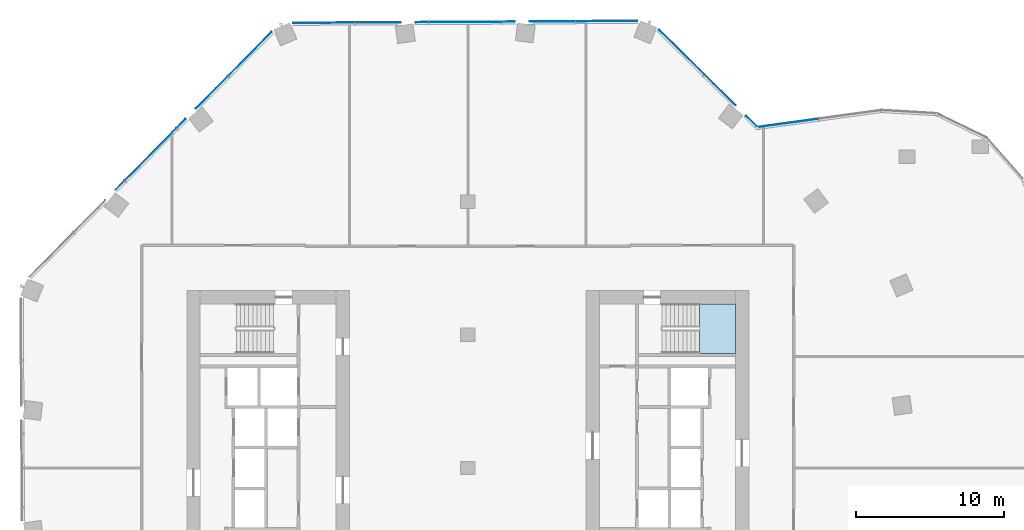
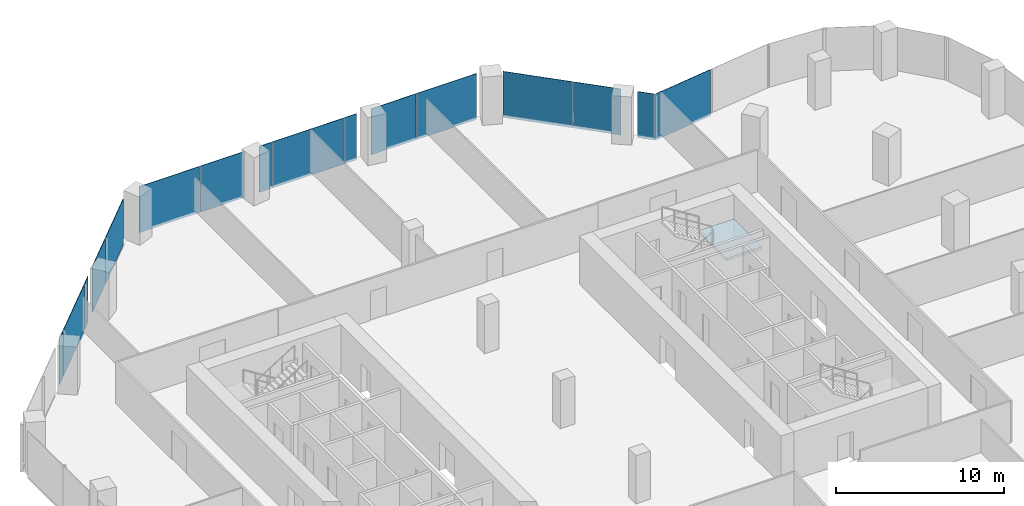
# One storey, part 17 of 27: 16 plates, 1 slab, 5 elements without a shape of their own.
"""IFC4 building model written with IfcOpenShell, lengths in metres."""

from ifc_helpers import new_model, si_unit, direction, frame, origin, origin_2d, place, context, subcontext, project, spatial, polyline, rectangle, outline, extrude, material, layer, layer_set, type_object, element, aggregate, save


model = new_model("IFC4")

# Units and contexts
model_context = context("Model", 3, precision=1e-05, world=origin(), true_north=direction((0.0, 1.0)))
body_context = subcontext(model_context, "Body", "Model", "MODEL_VIEW")
ifc_project = project(units=[si_unit("LENGTHUNIT", "METRE"), si_unit("AREAUNIT", "SQUARE_METRE"), si_unit("VOLUMEUNIT", "CUBIC_METRE"), si_unit("PLANEANGLEUNIT", "RADIAN"), si_unit("MASSUNIT", "GRAM", prefix="KILO")], contexts=[model_context])

# Site, building, storey
site_placement = place(None, origin())
site = spatial("IfcSite", under=ifc_project, at=site_placement, CompositionType="ELEMENT")
building_placement = place(site_placement, origin())
building = spatial("IfcBuilding", under=site, at=building_placement, Name="Orlundy Tower", CompositionType="ELEMENT")
storey_placement = place(building_placement, frame((0.0, 0.0, 199.10009765625)))
storey = spatial("IfcBuildingStorey", under=building, at=storey_placement, Name="L52", CompositionType="ELEMENT", Elevation=199.10009765625)

# Curtain wall, plates
ifc_material_1 = material(Name="Aluminium bronze anodised", Category="aluminium")
curtain_wall_type = type_object("IfcCurtainWallType", Name="CW1 wall", PredefinedType="NOTDEFINED", material=ifc_material_1)
curtain_wall_1_placement = place(storey_placement, origin())
curtain_wall_1 = element("IfcCurtainWall", 1, at=curtain_wall_1_placement, inside=storey, type_object=curtain_wall_type, Name="CW1 run 03", PredefinedType="NOTDEFINED")
ifc_material_2 = material(Name="Tinted glass", Category="glass")
ifc_layer_1 = layer(ifc_material_2, 0.031982421875)
ifc_layer_set_1 = layer_set([ifc_layer_1], Name="CW1 glass panel 32")
plate_type = type_object("IfcPlateType", Name="CW1 glass panel 32", PredefinedType="CURTAIN_PANEL", material=ifc_layer_set_1)
plate_1_placement = place(storey_placement, frame((-23.515380859375, 19.118408203125, -0.300048828125), z_axis=(0.0, 0.0, 1.0), x_axis=(0.702990637629, 0.711199102506, 0.0)))
plate_1 = element("IfcPlate", 2, at=plate_1_placement, type_object=plate_type, Name="CW1 panel", PredefinedType="CURTAIN_PANEL", context=body_context, shape_type="SweptSolid", body=[
    extrude(rectangle(XDim=0.846435546875, YDim=0.031982421875, at=origin_2d()), origin(), (0.0, 0.0, 1.0), 3.35009765625),
])
plate_2_placement = place(storey_placement, frame((-21.453125, 21.204833984375, -0.300048828125), z_axis=(0.0, 0.0, 1.0), x_axis=(0.702990637629, 0.711199102506, 0.0)))
plate_2 = element("IfcPlate", 3, at=plate_2_placement, type_object=plate_type, Name="CW1 panel", PredefinedType="CURTAIN_PANEL", context=body_context, shape_type="SweptSolid", body=[
    extrude(rectangle(XDim=4.92041015625, YDim=0.031982421875, at=origin_2d()), origin(), (0.0, 0.0, 1.0), 3.35009765625),
])
plate_3_placement = place(storey_placement, frame((-19.390625, 23.291259765625, -0.300048828125), z_axis=(0.0, 0.0, 1.0), x_axis=(0.702990637629, 0.711199102506, 0.0)))
plate_3 = element("IfcPlate", 4, at=plate_3_placement, type_object=plate_type, Name="CW1 panel", PredefinedType="CURTAIN_PANEL", context=body_context, shape_type="SweptSolid", body=[
    extrude(rectangle(XDim=0.84716796875, YDim=0.031982421875, at=origin_2d()), origin(), (0.0, 0.0, 1.0), 3.35009765625),
])
plate_4_placement = place(storey_placement, frame((-17.302978515625, 25.4033203125, -0.300048828125), z_axis=(0.0, 0.0, 1.0), x_axis=(0.702990637629, 0.711199102506, 0.0)))
plate_4 = element("IfcPlate", 5, at=plate_4_placement, type_object=plate_type, Name="CW1 panel", PredefinedType="CURTAIN_PANEL", context=body_context, shape_type="SweptSolid", body=[
    extrude(rectangle(XDim=3.054443359375, YDim=0.031982421875, at=origin_2d()), origin(), (0.0, 0.0, 1.0), 3.35009765625),
])
plate_5_placement = place(storey_placement, frame((-14.736328125, 28.0, -0.300048828125), z_axis=(0.0, 0.0, 1.0), x_axis=(0.702990637629, 0.711199102506, 0.0)))
plate_5 = element("IfcPlate", 6, at=plate_5_placement, type_object=plate_type, Name="CW1 panel", PredefinedType="CURTAIN_PANEL", context=body_context, shape_type="SweptSolid", body=[
    extrude(rectangle(XDim=4.147705078125, YDim=0.031982421875, at=origin_2d()), origin(), (0.0, 0.0, 1.0), 3.35009765625),
])
aggregate(curtain_wall_1, [plate_1, plate_2, plate_3, plate_4, plate_5])

curtain_wall_2_placement = place(storey_placement, origin())
curtain_wall_2 = element("IfcCurtainWall", 7, at=curtain_wall_2_placement, inside=storey, type_object=curtain_wall_type, Name="CW1 run 04", PredefinedType="NOTDEFINED")
plate_6_placement = place(storey_placement, frame((-9.72998046875, 30.107666015625, -0.300048828125), z_axis=(0.0, 0.0, 1.0), x_axis=(0.999982980873, 0.005834206419, 0.0)))
plate_6 = element("IfcPlate", 8, at=plate_6_placement, type_object=plate_type, Name="CW1 panel", PredefinedType="CURTAIN_PANEL", context=body_context, shape_type="SweptSolid", body=[
    extrude(rectangle(XDim=4.1474609375, YDim=0.031982421875, at=origin_2d()), origin(), (0.0, 0.0, 1.0), 3.35009765625),
])
plate_7_placement = place(storey_placement, frame((-6.078857421875, 30.129150390625, -0.300048828125), z_axis=(0.0, 0.0, 1.0), x_axis=(0.999982980873, 0.005834206419, 0.0)))
plate_7 = element("IfcPlate", 9, at=plate_7_placement, type_object=plate_type, Name="CW1 panel", PredefinedType="CURTAIN_PANEL", context=body_context, shape_type="SweptSolid", body=[
    extrude(rectangle(XDim=3.054931640625, YDim=0.031982421875, at=origin_2d()), origin(), (0.0, 0.0, 1.0), 3.35009765625),
])
plate_8_placement = place(storey_placement, frame((-3.109130859375, 30.146484375, -0.300048828125), z_axis=(0.0, 0.0, 1.0), x_axis=(0.999982980873, 0.005834206419, 0.0)))
plate_8 = element("IfcPlate", 10, at=plate_8_placement, type_object=plate_type, Name="CW1 panel", PredefinedType="CURTAIN_PANEL", context=body_context, shape_type="SweptSolid", body=[
    extrude(rectangle(XDim=0.8466796875, YDim=0.031982421875, at=origin_2d()), origin(), (0.0, 0.0, 1.0), 3.35009765625),
])
plate_9_placement = place(storey_placement, frame((-0.175537109375, 30.16357421875, -0.300048828125), z_axis=(0.0, 0.0, 1.0), x_axis=(0.999982980873, 0.005834206419, 0.0)))
plate_9 = element("IfcPlate", 11, at=plate_9_placement, type_object=plate_type, Name="CW1 panel", PredefinedType="CURTAIN_PANEL", context=body_context, shape_type="SweptSolid", body=[
    extrude(rectangle(XDim=4.920654296875, YDim=0.031982421875, at=origin_2d()), origin(), (0.0, 0.0, 1.0), 3.35009765625),
])
plate_10_placement = place(storey_placement, frame((2.758056640625, 30.1806640625, -0.300048828125), z_axis=(0.0, 0.0, 1.0), x_axis=(0.999982980873, 0.005834206419, 0.0)))
plate_10 = element("IfcPlate", 12, at=plate_10_placement, type_object=plate_type, Name="CW1 panel", PredefinedType="CURTAIN_PANEL", context=body_context, shape_type="SweptSolid", body=[
    extrude(rectangle(XDim=0.8466796875, YDim=0.031982421875, at=origin_2d()), origin(), (0.0, 0.0, 1.0), 3.35009765625),
])
plate_11_placement = place(storey_placement, frame((5.7265625, 30.197998046875, -0.300048828125), z_axis=(0.0, 0.0, 1.0), x_axis=(0.999982980873, 0.005834206419, 0.0)))
plate_11 = element("IfcPlate", 13, at=plate_11_placement, type_object=plate_type, Name="CW1 panel", PredefinedType="CURTAIN_PANEL", context=body_context, shape_type="SweptSolid", body=[
    extrude(rectangle(XDim=3.0576171875, YDim=0.031982421875, at=origin_2d()), origin(), (0.0, 0.0, 1.0), 3.35009765625),
])
plate_12_placement = place(storey_placement, frame((9.37939453125, 30.21923828125, -0.300048828125), z_axis=(0.0, 0.0, 1.0), x_axis=(0.999982980873, 0.005834206419, 0.0)))
plate_12 = element("IfcPlate", 14, at=plate_12_placement, type_object=plate_type, Name="CW1 panel", PredefinedType="CURTAIN_PANEL", context=body_context, shape_type="SweptSolid", body=[
    extrude(rectangle(XDim=4.14794921875, YDim=0.031982421875, at=origin_2d()), origin(), (0.0, 0.0, 1.0), 3.35009765625),
])
aggregate(curtain_wall_2, [plate_6, plate_7, plate_8, plate_9, plate_10, plate_11, plate_12])

curtain_wall_3_placement = place(storey_placement, origin())
curtain_wall_3 = element("IfcCurtainWall", 15, at=curtain_wall_3_placement, inside=storey, type_object=curtain_wall_type, Name="CW1 run 05", PredefinedType="NOTDEFINED")
plate_13_placement = place(storey_placement, frame((14.462158203125, 28.117919921875, -0.300048828125), z_axis=(0.0, 0.0, 1.0), x_axis=(0.711197941896, -0.702991811789, 0.0)))
plate_13 = element("IfcPlate", 16, at=plate_13_placement, type_object=plate_type, Name="CW1 panel", PredefinedType="CURTAIN_PANEL", context=body_context, shape_type="SweptSolid", body=[
    extrude(rectangle(XDim=4.294921875, YDim=0.031982421875, at=origin_2d()), origin(), (0.0, 0.0, 1.0), 3.35009765625),
])
plate_14_placement = place(storey_placement, frame((17.0595703125, 25.550537109375, -0.300048828125), z_axis=(0.0, 0.0, 1.0), x_axis=(0.711197941896, -0.702991811789, 0.0)))
plate_14 = element("IfcPlate", 17, at=plate_14_placement, type_object=plate_type, Name="CW1 panel", PredefinedType="CURTAIN_PANEL", context=body_context, shape_type="SweptSolid", body=[
    extrude(rectangle(XDim=2.909423828125, YDim=0.031982421875, at=origin_2d()), origin(), (0.0, 0.0, 1.0), 3.35009765625),
])
plate_15_placement = place(storey_placement, frame((19.20361328125, 23.43115234375, -0.300048828125), z_axis=(0.0, 0.0, 1.0), x_axis=(0.711197941896, -0.702991811789, 0.0)))
plate_15 = element("IfcPlate", 18, at=plate_15_placement, type_object=plate_type, Name="CW1 panel", PredefinedType="CURTAIN_PANEL", context=body_context, shape_type="SweptSolid", body=[
    extrude(rectangle(XDim=1.0859375, YDim=0.031982421875, at=origin_2d()), origin(), (0.0, 0.0, 1.0), 3.35009765625),
])
aggregate(curtain_wall_3, [plate_13, plate_14, plate_15])

# Curtain wall, plate
curtain_wall_4_placement = place(storey_placement, origin())
curtain_wall_4 = element("IfcCurtainWall", 19, at=curtain_wall_4_placement, inside=storey, type_object=curtain_wall_type, Name="CW1 run 06", PredefinedType="NOTDEFINED")
plate_16_placement = place(storey_placement, frame((21.650634765625, 23.332763671875, -0.300048828125), z_axis=(0.0, 0.0, 1.0), x_axis=(0.990683386349, 0.136185270904, 0.0)))
plate_16 = element("IfcPlate", 20, at=plate_16_placement, type_object=plate_type, Name="CW1 panel", PredefinedType="CURTAIN_PANEL", context=body_context, shape_type="SweptSolid", body=[
    extrude(rectangle(XDim=4.160400390625, YDim=0.031982421875, at=origin_2d()), origin(), (0.0, 0.0, 1.0), 3.35009765625),
])
aggregate(curtain_wall_4, [plate_16])

# Stair, slab
ifc_material_3 = material(Name="Concrete C50/60", Category="concrete")
stair_type = type_object("IfcStairType", Name="Exit Stair 20 risers", PredefinedType="HALF_TURN_STAIR", material=ifc_material_3)
stair_placement = place(storey_placement, origin())
stair = element("IfcStair", 21, at=stair_placement, inside=storey, type_object=stair_type, Name="L52 Exit Stair ST-E2", PredefinedType="HALF_TURN_STAIR")
ifc_material_4 = material(Name="Concrete C50/60", Category="concrete")
ifc_layer_2 = layer(ifc_material_4, 0.199951171875)
ifc_layer_set_2 = layer_set([ifc_layer_2], Name="Exit Stair Landing")
slab_type = type_object("IfcSlabType", Name="Exit Stair Landing", PredefinedType="LANDING", material=ifc_layer_set_2)
slab_placement = place(storey_placement, frame((0.0, 0.0, 1.5498046875)))
slab = element("IfcSlab", 22, at=slab_placement, type_object=slab_type, Name="ST-E2 landing 1", PredefinedType="LANDING", context=body_context, shape_type="SweptSolid", body=[
    extrude(outline(polyline([(15.659912109375, 7.75), (18.10009765625, 7.75), (18.10009765625, 11.10009765625), (15.659912109375, 11.10009765625), (15.659912109375, 7.75)])), origin(), (0.0, 0.0, 1.0), 0.2001953125),
])
aggregate(stair, [slab])

save(model, "model.ifc")
